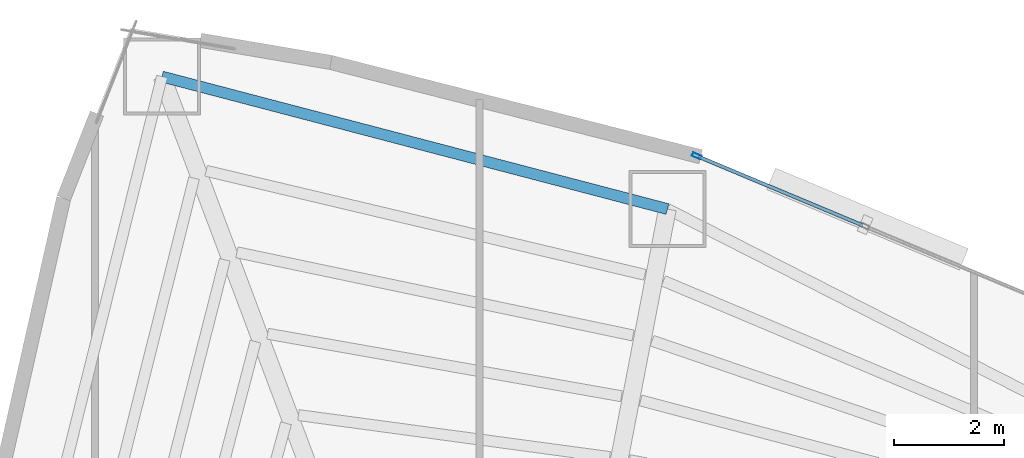
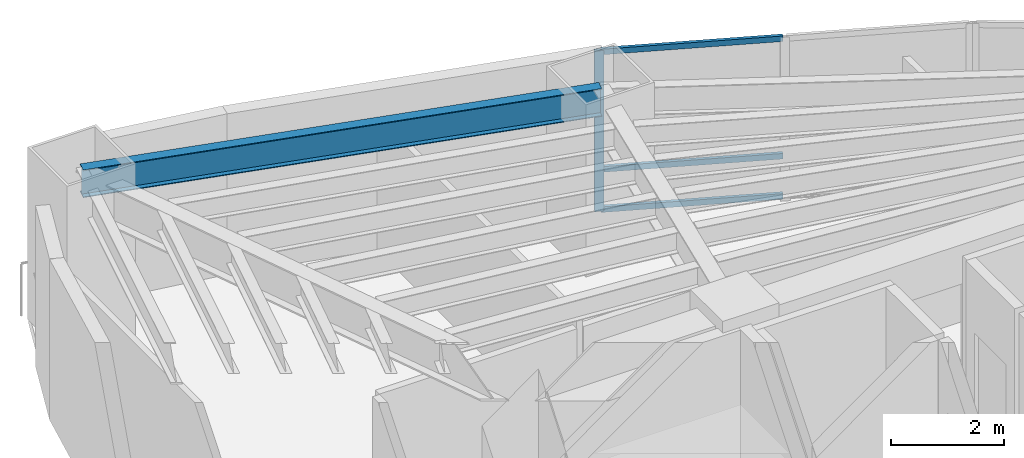
# One storey, part 9 of 17: 4 members, 1 beam, 1 element without a shape of its own.
"""IFC4 building model written with IfcOpenShell, lengths in metres."""

from ifc_helpers import new_model, si_unit, direction, frame, origin, origin_2d, place, context, subcontext, project, spatial, hollow_rectangle, i_section, extrude, material, layer, layer_set, material_profile, profile_set, type_object, element, aggregate, save


model = new_model("IFC4")

# Units and contexts
model_context = context("Model", 3, precision=1e-05, world=origin(), true_north=direction((0.0, 1.0)))
body_context = subcontext(model_context, "Body", "Model", "MODEL_VIEW")
ifc_project = project(units=[si_unit("LENGTHUNIT", "METRE"), si_unit("AREAUNIT", "SQUARE_METRE"), si_unit("VOLUMEUNIT", "CUBIC_METRE"), si_unit("PLANEANGLEUNIT", "RADIAN"), si_unit("MASSUNIT", "GRAM", prefix="KILO")], contexts=[model_context])

# Site, building, storey
site_placement = place(None, origin())
site = spatial("IfcSite", under=ifc_project, at=site_placement, CompositionType="ELEMENT")
building_placement = place(site_placement, origin())
building = spatial("IfcBuilding", under=site, at=building_placement, Name="Menara Vayukalpa", CompositionType="ELEMENT")
storey_placement = place(building_placement, frame((0.0, 0.0, 49.919921875)))
storey = spatial("IfcBuildingStorey", under=building, at=storey_placement, Name="L11", CompositionType="ELEMENT", Elevation=49.919921875)

# Beam
ifc_material_1 = material(Name="Steel S355", Category="steel")
ifc_material_profile_1 = material_profile(ifc_material_1, i_section(OverallWidth=0.199951171875, OverallDepth=0.60009765625, WebThickness=0.010986328125, FlangeThickness=0.01708984375, at=origin_2d()), Name="WF 600x200x11x17")
ifc_profile_set_1 = profile_set([ifc_material_profile_1], Name="Steel S355")
beam_type = type_object("IfcBeamType", Name="BM-SP1", PredefinedType="SPANDREL", material=ifc_profile_set_1)
beam_placement = place(storey_placement, frame((23.41943359375, 33.9228515625, 3.170166015625), z_axis=(-0.967331024421, 0.253516644802, 0.0), x_axis=(-0.253516644802, -0.967331024421, 0.0)))
element("IfcBeam", 1, at=beam_placement, inside=storey, type_object=beam_type, Name="L11 Perimeter Spandrel Beam SP03", PredefinedType="SPANDREL", context=body_context, shape_type="SweptSolid", body=[
    extrude(i_section(OverallWidth=0.199951171875, OverallDepth=0.60009765625, WebThickness=0.010986328125, FlangeThickness=0.01708984375, at=origin_2d()), origin(), (0.0, 0.0, 1.0), 9.5126953125),
])

# Curtain wall, members
ifc_material_2 = material(Name="Anodised Terracotta Aluminium Alloy 6063-T6", Category="masonry")
ifc_layer = layer(ifc_material_2, 0.1650390625)
ifc_layer_set = layer_set([ifc_layer], Name="Anodised Terracotta Aluminium Alloy 6063-T6")
curtain_wall_type = type_object("IfcCurtainWallType", Name="CW-CW2", PredefinedType="USERDEFINED", material=ifc_layer_set)
curtain_wall_placement = place(storey_placement, origin())
curtain_wall = element("IfcCurtainWall", 2, at=curtain_wall_placement, inside=storey, type_object=curtain_wall_type, Name="L11 Low Rise Terracotta Ribbon Curtain Wall CW2 05", ObjectType="UNITISED", PredefinedType="USERDEFINED")
ifc_material_3 = material(Name="Anodised Terracotta Aluminium Alloy 6063-T6", Category="masonry")
ifc_material_profile_2 = material_profile(ifc_material_3, hollow_rectangle(XDim=0.070068359375, YDim=0.1650390625, WallThickness=0.00390625, at=origin_2d()), Name="ALU 70x165x4")
ifc_profile_set_2 = profile_set([ifc_material_profile_2], Name="Anodised Terracotta Aluminium Alloy 6063-T6")
member_type_1 = type_object("IfcMemberType", Name="CWM-CW2", PredefinedType="MULLION", material=ifc_profile_set_2)
member_1_placement = place(storey_placement, frame((23.950927734375, 34.889404296875, 0.0), z_axis=(0.0, 0.0, 1.0), x_axis=(-0.385895120445, -0.922542658101, 0.0)))
member_1 = element("IfcMember", 3, at=member_1_placement, type_object=member_type_1, Name="CW2 mullion 3", PredefinedType="MULLION", context=body_context, shape_type="SweptSolid", body=[
    extrude(hollow_rectangle(XDim=0.070068359375, YDim=0.1650390625, WallThickness=0.00390625, at=origin_2d()), origin(), (0.0, 0.0, 1.0), 3.469970703125),
])
ifc_material_4 = material(Name="Anodised Terracotta Aluminium Alloy 6063-T6", Category="masonry")
ifc_material_profile_3 = material_profile(ifc_material_4, hollow_rectangle(XDim=0.06494140625, YDim=0.1201171875, WallThickness=0.00341796875, at=origin_2d()), Name="ALU 65x120x3.5")
ifc_profile_set_3 = profile_set([ifc_material_profile_3], Name="Anodised Terracotta Aluminium Alloy 6063-T6")
member_type_2 = type_object("IfcMemberType", Name="CWT-CW2", PredefinedType="USERDEFINED", material=ifc_profile_set_3)
member_2_placement = place(storey_placement, frame((26.974609375, 33.624755859375, 0.032470703125), z_axis=(-0.922552588381, 0.385871379699, 0.0), x_axis=(-0.385871379699, -0.922552588381, 0.0)))
member_2 = element("IfcMember", 4, at=member_2_placement, type_object=member_type_2, Name="CW2 transom 2.1", ObjectType="TRANSOM", PredefinedType="USERDEFINED", context=body_context, shape_type="SweptSolid", body=[
    extrude(hollow_rectangle(XDim=0.06494140625, YDim=0.1201171875, WallThickness=0.00341796875, at=origin_2d()), origin(), (0.0, 0.0, 1.0), 3.24267578125),
])
member_3_placement = place(storey_placement, frame((26.974609375, 33.624755859375, 0.900146484375), z_axis=(-0.922552588381, 0.385871379699, 0.0), x_axis=(-0.385871379699, -0.922552588381, 0.0)))
member_3 = element("IfcMember", 5, at=member_3_placement, type_object=member_type_2, Name="CW2 transom 2.2", ObjectType="TRANSOM", PredefinedType="USERDEFINED", context=body_context, shape_type="SweptSolid", body=[
    extrude(hollow_rectangle(XDim=0.06494140625, YDim=0.1201171875, WallThickness=0.00341796875, at=origin_2d()), origin(), (0.0, 0.0, 1.0), 3.24267578125),
])
member_4_placement = place(storey_placement, frame((26.974609375, 33.624755859375, 3.4375), z_axis=(-0.922552588381, 0.385871379699, 0.0), x_axis=(-0.385871379699, -0.922552588381, 0.0)))
member_4 = element("IfcMember", 6, at=member_4_placement, type_object=member_type_2, Name="CW2 transom 2.3", ObjectType="TRANSOM", PredefinedType="USERDEFINED", context=body_context, shape_type="SweptSolid", body=[
    extrude(hollow_rectangle(XDim=0.06494140625, YDim=0.1201171875, WallThickness=0.00341796875, at=origin_2d()), origin(), (0.0, 0.0, 1.0), 3.24267578125),
])
aggregate(curtain_wall, [member_1, member_2, member_3, member_4])

save(model, "model.ifc")
